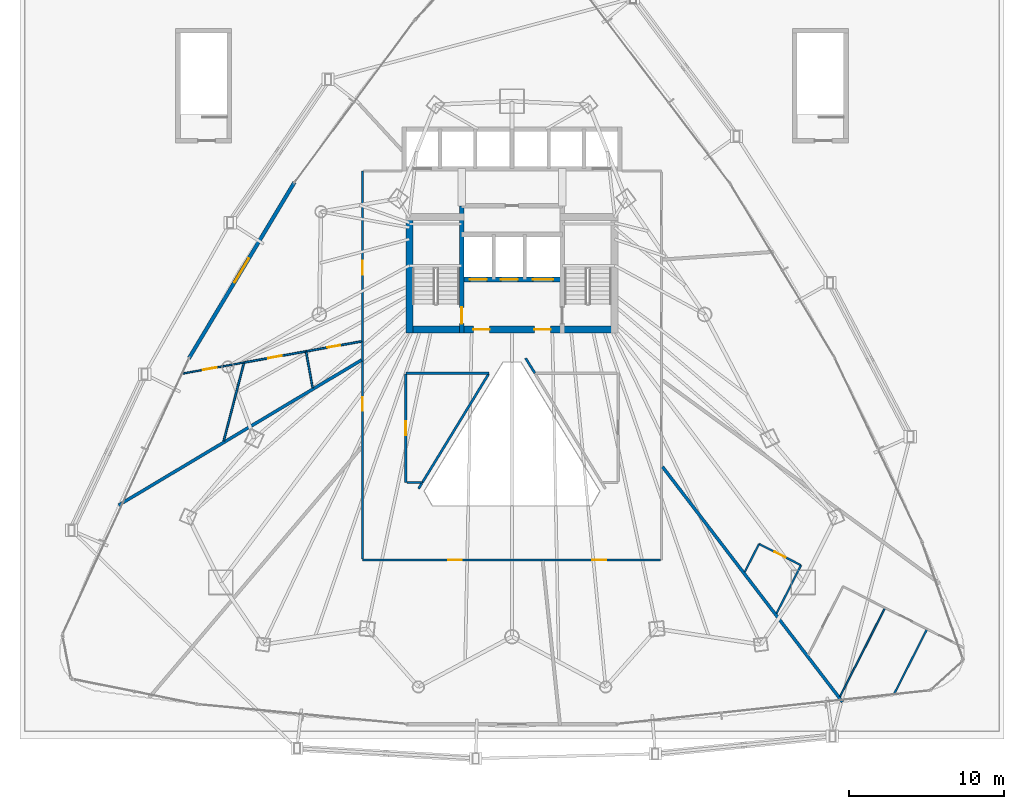
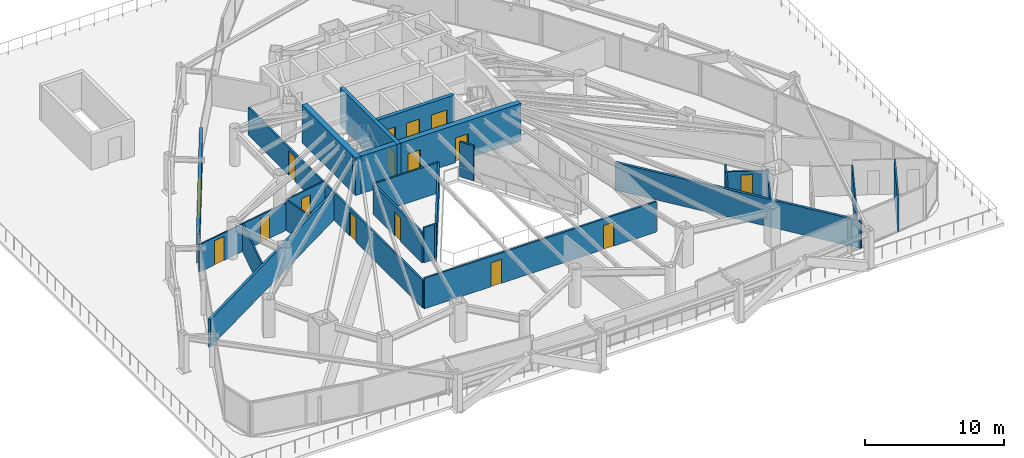
# One storey, part 29 of 36: 25 walls, 16 doors, 16 openings.
"""IFC4 building model written with IfcOpenShell, lengths in metres."""

from ifc_helpers import new_model, si_unit, direction, frame, frame_2d, origin, place, context, subcontext, project, spatial, rectangle, extrude, material, layer, layer_set, type_object, element, fill, save


model = new_model("IFC4")

# Units and contexts
model_context = context("Model", 3, precision=1e-05, world=origin(), true_north=direction((0.0, 1.0)))
body_context = subcontext(model_context, "Body", "Model", "MODEL_VIEW")
ifc_project = project(units=[si_unit("LENGTHUNIT", "METRE"), si_unit("AREAUNIT", "SQUARE_METRE"), si_unit("VOLUMEUNIT", "CUBIC_METRE"), si_unit("PLANEANGLEUNIT", "RADIAN"), si_unit("MASSUNIT", "GRAM", prefix="KILO")], contexts=[model_context])

# Site, building, storey
site_placement = place(None, origin())
site = spatial("IfcSite", under=ifc_project, at=site_placement, CompositionType="ELEMENT")
building_placement = place(site_placement, origin())
building = spatial("IfcBuilding", under=site, at=building_placement, Name="Orvanel Arch Residences", CompositionType="ELEMENT")
storey_placement = place(building_placement, frame((0.0, 0.0, 23.60009765625)))
storey = spatial("IfcBuildingStorey", under=building, at=storey_placement, Name="L05", CompositionType="ELEMENT", Elevation=23.60009765625)

# Wall, opening, door
ifc_material_1 = material(Name="Precast concrete N50 (50 MPa)", Category="concrete")
ifc_layer_1 = layer(ifc_material_1, 0.239990234375)
ifc_layer_set_1 = layer_set([ifc_layer_1], Name="Precast concrete N50 (50 MPa)")
wall_type_1 = type_object("IfcWallType", Name="EW-BAL-240", PredefinedType="SOLIDWALL", material=ifc_layer_set_1)
wall_1_placement = place(storey_placement, frame((18.95703125, 36.159912109375, 0.0), z_axis=(0.0, 0.0, 1.0), x_axis=(-0.514409031138, -0.857544954323, 0.0)))
wall_1 = element("IfcWall", 1, at=wall_1_placement, inside=storey, type_object=wall_type_1, Name="L05 Podium Terrace Access Wall Face 1", PredefinedType="SOLIDWALL", context=body_context, shape_type="SweptSolid", body=[
    extrude(rectangle(XDim=13.248046875, YDim=0.239990234375, at=frame_2d((6.6240234375, 0.0))), origin(), (0.0, 0.0, 1.0), 2.6240234375),
])
opening_1_placement = place(wall_1_placement, frame((5.72412109375, 0.0, 0.0)))
opening_1 = element("IfcOpeningElement", 2, at=opening_1_placement, cuts=wall_1, Name="Opening DB-180", PredefinedType="OPENING", context=body_context, shape_type="SweptSolid", body=[
    extrude(rectangle(XDim=1.800048828125, YDim=2.199951171875, at=frame_2d((0.89990234375, 1.10009765625))), frame((0.0, 0.1298828125, 0.0), z_axis=(0.0, -1.0, 0.0), x_axis=(1.0, 0.0, 0.0)), (0.0, 0.0, 1.0), 0.260009765625),
])
ifc_material_2 = material(Name="Bronze-anodised aluminium AA6063-T6", Category="aluminium")
door_type_1 = type_object("IfcDoorType", Name="DR-BAL-1800", OperationType="NOTDEFINED", PredefinedType="DOOR", material=ifc_material_2)
door_1_placement = place(opening_1_placement, origin())
door_1 = element("IfcDoor", 3, at=door_1_placement, inside=storey, type_object=door_type_1, Name="DR-L05-TERR-F1 L05 Planted Podium Terrace French Door Face 1", OperationType="DOUBLE_DOOR_SINGLE_SWING", OverallHeight=2.199951171875, OverallWidth=1.800048828125, PredefinedType="DOOR", context=body_context, shape_type="SweptSolid", body=[
    extrude(rectangle(XDim=1.800048828125, YDim=2.199951171875, at=frame_2d((0.89990234375, 1.10009765625))), frame((0.0, 0.02490234375, 0.0), z_axis=(0.0, -1.0, 0.0), x_axis=(1.0, 0.0, 0.0)), (0.0, 0.0, 1.0), 0.050048828125),
])
fill(opening_1, door_1)

ifc_material_3 = material(Name="Concrete S80 (80 MPa)", Category="concrete")
ifc_layer_2 = layer(ifc_material_3, 0.300048828125)
ifc_layer_set_2 = layer_set([ifc_layer_2], Name="Concrete S80 (80 MPa)")
wall_type_2 = type_object("IfcWallType", Name="SW-CORE-300", PredefinedType="SHEAR", material=ifc_layer_set_2)
wall_2_placement = place(storey_placement, frame((29.75, 26.449951171875, 0.0), z_axis=(0.0, 0.0, 1.0), x_axis=(0.0, 1.0, 0.0)))
wall_2 = element("IfcWall", 4, at=wall_2_placement, inside=storey, type_object=wall_type_2, Name="L05 West Inner Core Spine Shear Wall", PredefinedType="SHEAR", context=body_context, shape_type="SweptSolid", body=[
    extrude(rectangle(XDim=8.199951171875, YDim=0.300048828125, at=frame_2d((4.10009765625, 0.0))), origin(), (0.0, 0.0, 1.0), 3.2998046875),
])
opening_2_placement = place(wall_2_placement, frame((0.60009765625, 0.0, 0.0)))
opening_2 = element("IfcOpeningElement", 5, at=opening_2_placement, cuts=wall_2, Name="Opening DF-120", PredefinedType="OPENING", context=body_context, shape_type="SweptSolid", body=[
    extrude(rectangle(XDim=1.050048828125, YDim=2.14990234375, at=frame_2d((0.52490234375, 1.074951171875))), frame((0.0, 0.159912109375, 0.0), z_axis=(0.0, -1.0, 0.0), x_axis=(1.0, 0.0, 0.0)), (0.0, 0.0, 1.0), 0.320068359375),
])
ifc_material_4 = material(Name="Galvanised steel fire-resisting door assembly", Category="steel")
door_type_2 = type_object("IfcDoorType", Name="DR-FD120-1050", OperationType="NOTDEFINED", PredefinedType="DOOR", material=ifc_material_4)
door_2_placement = place(opening_2_placement, origin())
door_2 = element("IfcDoor", 6, at=door_2_placement, inside=storey, type_object=door_type_2, Name="DR-L05-ST1 L05 Stair 1 Fire Door", OperationType="SINGLE_SWING_LEFT", OverallHeight=2.14990234375, OverallWidth=1.050048828125, PredefinedType="DOOR", context=body_context, shape_type="SweptSolid", body=[
    extrude(rectangle(XDim=1.050048828125, YDim=2.14990234375, at=frame_2d((0.52490234375, 1.074951171875))), frame((0.0, 0.02490234375, 0.0), z_axis=(0.0, -1.0, 0.0), x_axis=(1.0, 0.0, 0.0)), (0.0, 0.0, 1.0), 0.050048828125),
])
fill(opening_2, door_2)

# Wall, openings, doors
wall_3_placement = place(storey_placement, frame((36.25, 29.89990234375, 0.0), z_axis=(0.0, 0.0, 1.0), x_axis=(-1.0, 0.0, 0.0)))
wall_3 = element("IfcWall", 7, at=wall_3_placement, inside=storey, type_object=wall_type_2, Name="L05 Emergency Lift Front Core Shear Wall", PredefinedType="SHEAR", context=body_context, shape_type="SweptSolid", body=[
    extrude(rectangle(XDim=6.5, YDim=0.300048828125, at=frame_2d((3.25, 0.0))), origin(), (0.0, 0.0, 1.0), 3.2998046875),
])
opening_3_placement = place(wall_3_placement, frame((4.875, 0.0, 0.0)))
opening_3 = element("IfcOpeningElement", 8, at=opening_3_placement, cuts=wall_3, Name="Opening LD-110", PredefinedType="OPENING", context=body_context, shape_type="SweptSolid", body=[
    extrude(rectangle(XDim=1.10009765625, YDim=2.199951171875, at=frame_2d((0.550048828125, 1.10009765625))), frame((0.0, 0.159912109375, 0.0), z_axis=(0.0, -1.0, 0.0), x_axis=(1.0, 0.0, 0.0)), (0.0, 0.0, 1.0), 0.320068359375),
])
opening_4_placement = place(wall_3_placement, frame((2.875, 0.0, 0.0)))
opening_4 = element("IfcOpeningElement", 9, at=opening_4_placement, cuts=wall_3, Name="Opening LD-110", PredefinedType="OPENING", context=body_context, shape_type="SweptSolid", body=[
    extrude(rectangle(XDim=1.10009765625, YDim=2.199951171875, at=frame_2d((0.550048828125, 1.10009765625))), frame((0.0, 0.159912109375, 0.0), z_axis=(0.0, -1.0, 0.0), x_axis=(1.0, 0.0, 0.0)), (0.0, 0.0, 1.0), 0.320068359375),
])
opening_5_placement = place(wall_3_placement, frame((0.60009765625, 0.0, 0.0)))
opening_5 = element("IfcOpeningElement", 10, at=opening_5_placement, cuts=wall_3, Name="Opening LD-130", PredefinedType="OPENING", context=body_context, shape_type="SweptSolid", body=[
    extrude(rectangle(XDim=1.300048828125, YDim=2.199951171875, at=frame_2d((0.64990234375, 1.10009765625))), frame((0.0, 0.159912109375, 0.0), z_axis=(0.0, -1.0, 0.0), x_axis=(1.0, 0.0, 0.0)), (0.0, 0.0, 1.0), 0.320068359375),
])
door_type_3 = type_object("IfcDoorType", Name="DR-LFT-1100", OperationType="NOTDEFINED", PredefinedType="DOOR", material=ifc_material_4)
door_3_placement = place(opening_3_placement, origin())
door_3 = element("IfcDoor", 11, at=door_3_placement, inside=storey, type_object=door_type_3, Name="LD-F1-L05 L05 Lift F1 Sliding Landing Door", OperationType="DOUBLE_DOOR_SLIDING", OverallHeight=2.199951171875, OverallWidth=1.10009765625, PredefinedType="DOOR", context=body_context, shape_type="SweptSolid", body=[
    extrude(rectangle(XDim=1.10009765625, YDim=2.199951171875, at=frame_2d((0.550048828125, 1.10009765625))), frame((0.0, 0.02490234375, 0.0), z_axis=(0.0, -1.0, 0.0), x_axis=(1.0, 0.0, 0.0)), (0.0, 0.0, 1.0), 0.050048828125),
])
fill(opening_3, door_3)
door_4_placement = place(opening_4_placement, origin())
door_4 = element("IfcDoor", 12, at=door_4_placement, inside=storey, type_object=door_type_3, Name="LD-F2-L05 L05 Lift F2 Sliding Landing Door", OperationType="DOUBLE_DOOR_SLIDING", OverallHeight=2.199951171875, OverallWidth=1.10009765625, PredefinedType="DOOR", context=body_context, shape_type="SweptSolid", body=[
    extrude(rectangle(XDim=1.10009765625, YDim=2.199951171875, at=frame_2d((0.550048828125, 1.10009765625))), frame((0.0, 0.02490234375, 0.0), z_axis=(0.0, -1.0, 0.0), x_axis=(1.0, 0.0, 0.0)), (0.0, 0.0, 1.0), 0.050048828125),
])
fill(opening_4, door_4)
door_type_4 = type_object("IfcDoorType", Name="DR-LFT-1300", OperationType="NOTDEFINED", PredefinedType="DOOR", material=ifc_material_4)
door_5_placement = place(opening_5_placement, origin())
door_5 = element("IfcDoor", 13, at=door_5_placement, inside=storey, type_object=door_type_4, Name="LD-G1-L05 L05 Lift G1 Sliding Landing Door", OperationType="DOUBLE_DOOR_SLIDING", OverallHeight=2.199951171875, OverallWidth=1.300048828125, PredefinedType="DOOR", context=body_context, shape_type="SweptSolid", body=[
    extrude(rectangle(XDim=1.300048828125, YDim=2.199951171875, at=frame_2d((0.64990234375, 1.10009765625))), frame((0.0, 0.02490234375, 0.0), z_axis=(0.0, -1.0, 0.0), x_axis=(1.0, 0.0, 0.0)), (0.0, 0.0, 1.0), 0.050048828125),
])
fill(opening_5, door_5)

ifc_layer_3 = layer(ifc_material_3, 0.449951171875)
ifc_layer_set_3 = layer_set([ifc_layer_3], Name="Concrete S80 (80 MPa)")
wall_type_3 = type_object("IfcWallType", Name="SW-CORE-450", PredefinedType="SHEAR", material=ifc_layer_set_3)
wall_4_placement = place(storey_placement, frame((26.14990234375, 26.675048828125, 0.0), z_axis=(0.0, 0.0, 1.0), x_axis=(1.0, 0.0, 0.0)))
wall_4 = element("IfcWall", 14, at=wall_4_placement, inside=storey, type_object=wall_type_3, Name="L05 South Core Shear Wall", PredefinedType="SHEAR", context=body_context, shape_type="SweptSolid", body=[
    extrude(rectangle(XDim=13.7001953125, YDim=0.449951171875, at=frame_2d((6.85009765625, 0.0))), origin(), (0.0, 0.0, 1.0), 3.2998046875),
])
opening_6_placement = place(wall_4_placement, frame((4.35009765625, 0.0, 0.0)))
opening_6 = element("IfcOpeningElement", 15, at=opening_6_placement, cuts=wall_4, Name="Opening DF-060", PredefinedType="OPENING", context=body_context, shape_type="SweptSolid", body=[
    extrude(rectangle(XDim=1.050048828125, YDim=2.14990234375, at=frame_2d((0.52490234375, 1.074951171875))), frame((0.0, 0.23486328125, 0.0), z_axis=(0.0, -1.0, 0.0), x_axis=(1.0, 0.0, 0.0)), (0.0, 0.0, 1.0), 0.469970703125),
])
opening_7_placement = place(wall_4_placement, frame((8.300048828125, 0.0, 0.0)))
opening_7 = element("IfcOpeningElement", 16, at=opening_7_placement, cuts=wall_4, Name="Opening DF-060", PredefinedType="OPENING", context=body_context, shape_type="SweptSolid", body=[
    extrude(rectangle(XDim=1.050048828125, YDim=2.14990234375, at=frame_2d((0.52490234375, 1.074951171875))), frame((0.0, 0.23486328125, 0.0), z_axis=(0.0, -1.0, 0.0), x_axis=(1.0, 0.0, 0.0)), (0.0, 0.0, 1.0), 0.469970703125),
])
door_type_5 = type_object("IfcDoorType", Name="DR-FD60-1050", OperationType="NOTDEFINED", PredefinedType="DOOR", material=ifc_material_4)
door_6_placement = place(opening_6_placement, origin())
door_6 = element("IfcDoor", 17, at=door_6_placement, inside=storey, type_object=door_type_5, Name="DR-L05-FFL-W L05 West Smoke Lobby Door", OperationType="SINGLE_SWING_LEFT", OverallHeight=2.14990234375, OverallWidth=1.050048828125, PredefinedType="DOOR", context=body_context, shape_type="SweptSolid", body=[
    extrude(rectangle(XDim=1.050048828125, YDim=2.14990234375, at=frame_2d((0.52490234375, 1.074951171875))), frame((0.0, 0.02490234375, 0.0), z_axis=(0.0, -1.0, 0.0), x_axis=(1.0, 0.0, 0.0)), (0.0, 0.0, 1.0), 0.050048828125),
])
fill(opening_6, door_6)
door_7_placement = place(opening_7_placement, origin())
door_7 = element("IfcDoor", 18, at=door_7_placement, inside=storey, type_object=door_type_5, Name="DR-L05-FFL-E L05 East Smoke Lobby Door", OperationType="SINGLE_SWING_RIGHT", OverallHeight=2.14990234375, OverallWidth=1.050048828125, PredefinedType="DOOR", context=body_context, shape_type="SweptSolid", body=[
    extrude(rectangle(XDim=1.050048828125, YDim=2.14990234375, at=frame_2d((0.52490234375, 1.074951171875))), frame((0.0, 0.02490234375, 0.0), z_axis=(0.0, -1.0, 0.0), x_axis=(1.0, 0.0, 0.0)), (0.0, 0.0, 1.0), 0.050048828125),
])
fill(opening_7, door_7)

# Wall
wall_5_placement = place(storey_placement, frame((26.375, 26.449951171875, 0.0), z_axis=(0.0, 0.0, 1.0), x_axis=(0.0, 1.0, 0.0)))
element("IfcWall", 19, at=wall_5_placement, inside=storey, type_object=wall_type_3, Name="L05 West Stair Shear Wall", PredefinedType="SHEAR", context=body_context, shape_type="SweptSolid", body=[
    extrude(rectangle(XDim=7.699951171875, YDim=0.449951171875, at=frame_2d((3.85009765625, 0.0))), origin(), (0.0, 0.0, 1.0), 3.2998046875),
])

# Wall, openings, doors
ifc_material_5 = material(Name="Fire-rated plasterboard lined steel stud partition", Category="steel")
ifc_layer_4 = layer(ifc_material_5, 0.14990234375)
ifc_layer_set_4 = layer_set([ifc_layer_4], Name="Fire-rated plasterboard lined steel stud partition")
wall_type_4 = type_object("IfcWallType", Name="W-COR-150", PredefinedType="PARTITIONING", material=ifc_layer_set_4)
wall_6_placement = place(storey_placement, frame((42.590087890625, 11.800048828125, 0.0), z_axis=(0.0, 0.0, 1.0), x_axis=(-1.0, 0.0, 0.0)))
wall_6 = element("IfcWall", 20, at=wall_6_placement, inside=storey, type_object=wall_type_4, Name="L05 Corridor Fire-Rated Partition", PredefinedType="PARTITIONING", context=body_context, shape_type="SweptSolid", body=[
    extrude(rectangle(XDim=19.239990234375, YDim=0.14990234375, at=frame_2d((9.6201171875, 0.0))), origin(), (0.0, 0.0, 1.0), 2.6689453125),
])
opening_8_placement = place(wall_6_placement, frame((12.837890625, 0.0, 0.0)))
opening_8 = element("IfcOpeningElement", 21, at=opening_8_placement, cuts=wall_6, Name="Opening DI-088", PredefinedType="OPENING", context=body_context, shape_type="SweptSolid", body=[
    extrude(rectangle(XDim=0.8798828125, YDim=2.10009765625, at=frame_2d((0.43994140625, 1.050048828125))), frame((0.0, 0.0849609375, 0.0), z_axis=(0.0, -1.0, 0.0), x_axis=(1.0, 0.0, 0.0)), (0.0, 0.0, 1.0), 0.169921875),
])
opening_9_placement = place(wall_6_placement, frame((3.51904296875, 0.0, 0.0)))
opening_9 = element("IfcOpeningElement", 22, at=opening_9_placement, cuts=wall_6, Name="Opening DI-088", PredefinedType="OPENING", context=body_context, shape_type="SweptSolid", body=[
    extrude(rectangle(XDim=0.8798828125, YDim=2.10009765625, at=frame_2d((0.43994140625, 1.050048828125))), frame((0.0, 0.0849609375, 0.0), z_axis=(0.0, -1.0, 0.0), x_axis=(1.0, 0.0, 0.0)), (0.0, 0.0, 1.0), 0.169921875),
])
ifc_material_6 = material(Name="Solid-core European oak veneer fire door leaf", Category="wood")
door_type_6 = type_object("IfcDoorType", Name="DR-INT-880", OperationType="NOTDEFINED", PredefinedType="DOOR", material=ifc_material_6)
door_8_placement = place(opening_8_placement, origin())
door_8 = element("IfcDoor", 23, at=door_8_placement, inside=storey, type_object=door_type_6, Name="DR-L05-SHRD-FB1 L05 Co-Working Study Office A Door", OperationType="SINGLE_SWING_LEFT", OverallHeight=2.10009765625, OverallWidth=0.8798828125, PredefinedType="DOOR", context=body_context, shape_type="SweptSolid", body=[
    extrude(rectangle(XDim=0.8798828125, YDim=2.10009765625, at=frame_2d((0.43994140625, 1.050048828125))), frame((0.0, 0.02490234375, 0.0), z_axis=(0.0, -1.0, 0.0), x_axis=(1.0, 0.0, 0.0)), (0.0, 0.0, 1.0), 0.050048828125),
])
fill(opening_8, door_8)
door_9_placement = place(opening_9_placement, origin())
door_9 = element("IfcDoor", 24, at=door_9_placement, inside=storey, type_object=door_type_6, Name="DR-L05-SHRD-FB4 L05 Co-Working Study Office D Door", OperationType="SINGLE_SWING_LEFT", OverallHeight=2.10009765625, OverallWidth=0.8798828125, PredefinedType="DOOR", context=body_context, shape_type="SweptSolid", body=[
    extrude(rectangle(XDim=0.8798828125, YDim=2.10009765625, at=frame_2d((0.43994140625, 1.050048828125))), frame((0.0, 0.02490234375, 0.0), z_axis=(0.0, -1.0, 0.0), x_axis=(1.0, 0.0, 0.0)), (0.0, 0.0, 1.0), 0.050048828125),
])
fill(opening_9, door_9)

wall_7_placement = place(storey_placement, frame((23.35009765625, 11.860107421875, 0.0), z_axis=(0.0, 0.0, 1.0), x_axis=(0.0, 1.0, 0.0)))
wall_7 = element("IfcWall", 25, at=wall_7_placement, inside=storey, type_object=wall_type_4, Name="L05 Corridor Fire-Rated Partition", PredefinedType="PARTITIONING", context=body_context, shape_type="SweptSolid", body=[
    extrude(rectangle(XDim=25.039794921875, YDim=0.14990234375, at=frame_2d((12.52001953125, 0.0))), origin(), (0.0, 0.0, 1.0), 2.412841796875),
])
opening_10_placement = place(wall_7_placement, frame((9.572998046875, 0.0, 0.0)))
opening_10 = element("IfcOpeningElement", 26, at=opening_10_placement, cuts=wall_7, Name="Opening DI-088", PredefinedType="OPENING", context=body_context, shape_type="SweptSolid", body=[
    extrude(rectangle(XDim=0.8798828125, YDim=2.10009765625, at=frame_2d((0.43994140625, 1.050048828125))), frame((0.0, 0.0849609375, 0.0), z_axis=(0.0, -1.0, 0.0), x_axis=(1.0, 0.0, 0.0)), (0.0, 0.0, 1.0), 0.169921875),
])
opening_11_placement = place(wall_7_placement, frame((18.3291015625, 0.0, 0.0)))
opening_11 = element("IfcOpeningElement", 27, at=opening_11_placement, cuts=wall_7, Name="Opening DA-092", PredefinedType="OPENING", context=body_context, shape_type="SweptSolid", body=[
    extrude(rectangle(XDim=0.919921875, YDim=2.14990234375, at=frame_2d((0.4599609375, 1.074951171875))), frame((0.0, 0.0849609375, 0.0), z_axis=(0.0, -1.0, 0.0), x_axis=(1.0, 0.0, 0.0)), (0.0, 0.0, 1.0), 0.169921875),
])
door_type_7 = type_object("IfcDoorType", Name="DR-APT-920", OperationType="NOTDEFINED", PredefinedType="DOOR", material=ifc_material_6)
door_10_placement = place(opening_11_placement, origin())
door_10 = element("IfcDoor", 28, at=door_10_placement, inside=storey, type_object=door_type_7, Name="DR-L05-F-ENT L05 Studio F Entrance Door", OperationType="SINGLE_SWING_LEFT", OverallHeight=2.14990234375, OverallWidth=0.919921875, PredefinedType="DOOR", context=body_context, shape_type="SweptSolid", body=[
    extrude(rectangle(XDim=0.919921875, YDim=2.14990234375, at=frame_2d((0.4599609375, 1.074951171875))), frame((0.0, 0.02490234375, 0.0), z_axis=(0.0, -1.0, 0.0), x_axis=(1.0, 0.0, 0.0)), (0.0, 0.0, 1.0), 0.050048828125),
])
fill(opening_11, door_10)
door_11_placement = place(opening_10_placement, origin())
door_11 = element("IfcDoor", 29, at=door_11_placement, inside=storey, type_object=door_type_6, Name="DR-L05-SHRD-FB3 L05 Co-Working Study Office C Door", OperationType="SINGLE_SWING_LEFT", OverallHeight=2.10009765625, OverallWidth=0.8798828125, PredefinedType="DOOR", context=body_context, shape_type="SweptSolid", body=[
    extrude(rectangle(XDim=0.8798828125, YDim=2.10009765625, at=frame_2d((0.43994140625, 1.050048828125))), frame((0.0, 0.02490234375, 0.0), z_axis=(0.0, -1.0, 0.0), x_axis=(1.0, 0.0, 0.0)), (0.0, 0.0, 1.0), 0.050048828125),
])
fill(opening_10, door_11)

# Wall
wall_8_placement = place(storey_placement, frame((31.52294921875, 23.85009765625, 0.0), z_axis=(0.0, 0.0, 1.0), x_axis=(-1.0, 0.0, 0.0)))
element("IfcWall", 30, at=wall_8_placement, inside=storey, type_object=wall_type_4, Name="L05 Corridor Fire-Rated Partition", PredefinedType="PARTITIONING", context=body_context, shape_type="SweptSolid", body=[
    extrude(rectangle(XDim=5.373046875, YDim=0.14990234375, at=frame_2d((2.6865234375, 0.0))), origin(), (0.0, 0.0, 1.0), 2.6689453125),
])

# Wall, opening, door
wall_9_placement = place(storey_placement, frame((26.14990234375, 23.7900390625, 0.0), z_axis=(0.0, 0.0, 1.0), x_axis=(0.0, -1.0, 0.0)))
wall_9 = element("IfcWall", 31, at=wall_9_placement, inside=storey, type_object=wall_type_4, Name="L05 Corridor Fire-Rated Partition", PredefinedType="PARTITIONING", context=body_context, shape_type="SweptSolid", body=[
    extrude(rectangle(XDim=6.989990234375, YDim=0.14990234375, at=frame_2d((3.4951171875, 0.0))), origin(), (0.0, 0.0, 1.0), 2.6689453125),
])
opening_12_placement = place(wall_9_placement, frame((3.054931640625, 0.0, 0.0)))
opening_12 = element("IfcOpeningElement", 32, at=opening_12_placement, cuts=wall_9, Name="Opening DI-088", PredefinedType="OPENING", context=body_context, shape_type="SweptSolid", body=[
    extrude(rectangle(XDim=0.8798828125, YDim=2.10009765625, at=frame_2d((0.43994140625, 1.050048828125))), frame((0.0, 0.0849609375, 0.0), z_axis=(0.0, -1.0, 0.0), x_axis=(1.0, 0.0, 0.0)), (0.0, 0.0, 1.0), 0.169921875),
])
door_12_placement = place(opening_12_placement, origin())
door_12 = element("IfcDoor", 33, at=door_12_placement, inside=storey, type_object=door_type_6, Name="DR-L05-SHRD-FB9 L05 Co-Working Study Office I Door", OperationType="SINGLE_SWING_LEFT", OverallHeight=2.10009765625, OverallWidth=0.8798828125, PredefinedType="DOOR", context=body_context, shape_type="SweptSolid", body=[
    extrude(rectangle(XDim=0.8798828125, YDim=2.10009765625, at=frame_2d((0.43994140625, 1.050048828125))), frame((0.0, 0.02490234375, 0.0), z_axis=(0.0, -1.0, 0.0), x_axis=(1.0, 0.0, 0.0)), (0.0, 0.0, 1.0), 0.050048828125),
])
fill(opening_12, door_12)

# Walls
wall_10_placement = place(storey_placement, frame((26.2099609375, 16.800048828125, 0.0), z_axis=(0.0, 0.0, 1.0), x_axis=(1.0, 0.0, 0.0)))
element("IfcWall", 34, at=wall_10_placement, inside=storey, type_object=wall_type_4, Name="L05 Corridor Fire-Rated Partition", PredefinedType="PARTITIONING", context=body_context, shape_type="SweptSolid", body=[
    extrude(rectangle(XDim=1.0029296875, YDim=0.14990234375, at=frame_2d((0.50146484375, 0.0))), origin(), (0.0, 0.0, 1.0), 3.059814453125),
])
wall_11_placement = place(storey_placement, frame((27.177001953125, 16.739990234375, 0.0), z_axis=(0.0, 0.0, 1.0), x_axis=(-0.513515835534, -0.858080116688, 0.0)))
element("IfcWall", 35, at=wall_11_placement, inside=storey, type_object=wall_type_4, Name="L05 Corridor Fire-Rated Partition", PredefinedType="PARTITIONING", context=body_context, shape_type="SweptSolid", body=[
    extrude(rectangle(XDim=0.403076171875, YDim=0.14990234375, at=frame_2d((0.20166015625, 0.0))), origin(), (0.0, 0.0, 1.0), 3.059814453125),
])
wall_12_placement = place(storey_placement, frame((34.47705078125, 23.85107421875, 0.0), z_axis=(0.0, 0.0, 1.0), x_axis=(-0.52541513414, 0.8508460124, 0.0)))
element("IfcWall", 36, at=wall_12_placement, inside=storey, type_object=wall_type_4, Name="L05 Corridor Fire-Rated Partition", PredefinedType="PARTITIONING", context=body_context, shape_type="SweptSolid", body=[
    extrude(rectangle(XDim=1.136474609375, YDim=0.14990234375, at=frame_2d((0.568359375, 0.0))), origin(), (0.0, 0.0, 1.0), 3.059814453125),
])
wall_13_placement = place(storey_placement, frame((27.212890625, 16.791015625, 0.0), z_axis=(0.0, 0.0, 1.0), x_axis=(0.521095914239, 0.853498124288, 0.0)))
element("IfcWall", 37, at=wall_13_placement, inside=storey, type_object=wall_type_4, Name="L05 Atrium Overlook Glazed Partition", PredefinedType="PARTITIONING", context=body_context, shape_type="SweptSolid", body=[
    extrude(rectangle(XDim=8.200439453125, YDim=0.14990234375, at=frame_2d((4.10009765625, 0.0))), origin(), (0.0, 0.0, 1.0), 2.6689453125),
])
ifc_layer_5 = layer(ifc_material_5, 0.199951171875)
ifc_layer_set_5 = layer_set([ifc_layer_5], Name="Fire-rated plasterboard lined steel stud partition")
wall_type_5 = type_object("IfcWallType", Name="W-DEM-200", PredefinedType="PARTITIONING", material=ifc_layer_set_5)
wall_14_placement = place(storey_placement, frame((7.615966796875, 15.3330078125, 0.0), z_axis=(0.0, 0.0, 1.0), x_axis=(0.85844474206, 0.512906058483, 0.0)))
element("IfcWall", 38, at=wall_14_placement, inside=storey, type_object=wall_type_5, Name="L05 Inter-Tenancy Acoustic Demising Wall", PredefinedType="PARTITIONING", context=body_context, shape_type="SweptSolid", body=[
    extrude(rectangle(XDim=18.2587890625, YDim=0.199951171875, at=frame_2d((9.12939453125, 0.0))), origin(), (0.0, 0.0, 1.0), 2.412841796875),
])
wall_15_placement = place(storey_placement, frame((42.7099609375, 17.81298828125, 0.0), z_axis=(0.0, 0.0, 1.0), x_axis=(0.607788570878, -0.794098893784, 0.0)))
element("IfcWall", 39, at=wall_15_placement, inside=storey, type_object=wall_type_5, Name="L05 Inter-Tenancy Acoustic Demising Wall", PredefinedType="PARTITIONING", context=body_context, shape_type="SweptSolid", body=[
    extrude(rectangle(XDim=19.113525390625, YDim=0.199951171875, at=frame_2d((9.556640625, 0.0))), origin(), (0.0, 0.0, 1.0), 2.412841796875),
])
ifc_material_7 = material(Name="Acoustic plasterboard lined twin-stud partition", Category="gypsum")
ifc_layer_6 = layer(ifc_material_7, 0.10009765625)
ifc_layer_set_6 = layer_set([ifc_layer_6], Name="Acoustic plasterboard lined twin-stud partition")
wall_type_6 = type_object("IfcWallType", Name="W-INT-100", PredefinedType="PARTITIONING", material=ifc_layer_set_6)
wall_16_placement = place(storey_placement, frame((54.16796875, 2.98193359375, 0.0), z_axis=(0.0, 0.0, 1.0), x_axis=(0.452437935158, 0.891795893033, 0.0)))
element("IfcWall", 40, at=wall_16_placement, inside=storey, type_object=wall_type_6, Name="L05 Flat E Internal Partition", PredefinedType="PARTITIONING", context=body_context, shape_type="SweptSolid", body=[
    extrude(rectangle(XDim=6.4208984375, YDim=0.10009765625, at=frame_2d((3.21044921875, 0.0))), origin(), (0.0, 0.0, 1.0), 2.618896484375),
])

# Wall, opening, door
wall_17_placement = place(storey_placement, frame((15.708984375, 24.5380859375, 0.0), z_axis=(0.0, 0.0, 1.0), x_axis=(-0.984207184065, -0.177020391014, 0.0)))
wall_17 = element("IfcWall", 41, at=wall_17_placement, inside=storey, type_object=wall_type_6, Name="L05 Studio F Internal Partition", PredefinedType="PARTITIONING", context=body_context, shape_type="SweptSolid", body=[
    extrude(rectangle(XDim=4.1015625, YDim=0.10009765625, at=frame_2d((2.05078125, 0.0))), origin(), (0.0, 0.0, 1.0), 2.412841796875),
])
opening_13_placement = place(wall_17_placement, frame((1.80908203125, 0.0, 0.0)))
opening_13 = element("IfcOpeningElement", 42, at=opening_13_placement, cuts=wall_17, Name="Opening DI-088", PredefinedType="OPENING", context=body_context, shape_type="SweptSolid", body=[
    extrude(rectangle(XDim=0.8798828125, YDim=2.10009765625, at=frame_2d((0.43994140625, 1.050048828125))), frame((0.0, 0.06005859375, 0.0), z_axis=(0.0, -1.0, 0.0), x_axis=(1.0, 0.0, 0.0)), (0.0, 0.0, 1.0), 0.1201171875),
])
door_13_placement = place(opening_13_placement, origin())
door_13 = element("IfcDoor", 43, at=door_13_placement, inside=storey, type_object=door_type_6, Name="DR-L05-F-OFC1 L05 Studio F Home Work Office 2 Door", OperationType="SINGLE_SWING_LEFT", OverallHeight=2.10009765625, OverallWidth=0.8798828125, PredefinedType="DOOR", context=body_context, shape_type="SweptSolid", body=[
    extrude(rectangle(XDim=0.8798828125, YDim=2.10009765625, at=frame_2d((0.43994140625, 1.050048828125))), frame((0.0, 0.02490234375, 0.0), z_axis=(0.0, -1.0, 0.0), x_axis=(1.0, 0.0, 0.0)), (0.0, 0.0, 1.0), 0.050048828125),
])
fill(opening_13, door_13)

# Wall
ifc_layer_7 = layer(ifc_material_7, 0.1201171875)
ifc_layer_set_7 = layer_set([ifc_layer_7], Name="Acoustic plasterboard lined twin-stud partition")
wall_type_7 = type_object("IfcWallType", Name="W-WET-120", PredefinedType="PARTITIONING", material=ifc_layer_set_7)
wall_18_placement = place(storey_placement, frame((50.069091796875, 8.337890625, 0.0), z_axis=(0.0, 0.0, 1.0), x_axis=(0.45217581214, 0.891928828391, 0.0)))
element("IfcWall", 44, at=wall_18_placement, inside=storey, type_object=wall_type_7, Name="L05 Flat E Bathroom Partition", PredefinedType="PARTITIONING", context=body_context, shape_type="SweptSolid", body=[
    extrude(rectangle(XDim=3.498046875, YDim=0.1201171875, at=frame_2d((1.7490234375, 0.0))), origin(), (0.0, 0.0, 1.0), 2.412841796875),
])

# Wall, opening, door
wall_19_placement = place(storey_placement, frame((51.65087890625, 11.4580078125, 0.0), z_axis=(0.0, 0.0, 1.0), x_axis=(-0.891842269509, 0.452346511336, 0.0)))
wall_19 = element("IfcWall", 45, at=wall_19_placement, inside=storey, type_object=wall_type_7, Name="L05 Flat E Bathroom Partition", PredefinedType="PARTITIONING", context=body_context, shape_type="SweptSolid", body=[
    extrude(rectangle(XDim=3.039794921875, YDim=0.1201171875, at=frame_2d((1.52001953125, 0.0))), origin(), (0.0, 0.0, 1.0), 2.412841796875),
])
opening_14_placement = place(wall_19_placement, frame((1.110107421875, 0.0, 0.0)))
opening_14 = element("IfcOpeningElement", 46, at=opening_14_placement, cuts=wall_19, Name="Opening DW-082", PredefinedType="OPENING", context=body_context, shape_type="SweptSolid", body=[
    extrude(rectangle(XDim=0.820068359375, YDim=2.10009765625, at=frame_2d((0.41015625, 1.050048828125))), frame((0.0, 0.070068359375, 0.0), z_axis=(0.0, -1.0, 0.0), x_axis=(1.0, 0.0, 0.0)), (0.0, 0.0, 1.0), 0.14013671875),
])
door_type_8 = type_object("IfcDoorType", Name="DR-WET-820", OperationType="NOTDEFINED", PredefinedType="DOOR", material=ifc_material_6)
door_14_placement = place(opening_14_placement, origin())
door_14 = element("IfcDoor", 47, at=door_14_placement, inside=storey, type_object=door_type_8, Name="DR-L05-E-BATH L05 Flat E Bathroom Door", OperationType="SINGLE_SWING_RIGHT", OverallHeight=2.10009765625, OverallWidth=0.820068359375, PredefinedType="DOOR", context=body_context, shape_type="SweptSolid", body=[
    extrude(rectangle(XDim=0.820068359375, YDim=2.10009765625, at=frame_2d((0.41015625, 1.050048828125))), frame((0.0, 0.02490234375, 0.0), z_axis=(0.0, -1.0, 0.0), x_axis=(1.0, 0.0, 0.0)), (0.0, 0.0, 1.0), 0.050048828125),
])
fill(opening_14, door_14)

# Walls
wall_20_placement = place(storey_placement, frame((48.93994140625, 12.8330078125, 0.0), z_axis=(0.0, 0.0, 1.0), x_axis=(-0.452097038501, -0.891968759418, 0.0)))
element("IfcWall", 48, at=wall_20_placement, inside=storey, type_object=wall_type_7, Name="L05 Flat E Bathroom Partition", PredefinedType="PARTITIONING", context=body_context, shape_type="SweptSolid", body=[
    extrude(rectangle(XDim=2.036865234375, YDim=0.1201171875, at=frame_2d((1.0185546875, 0.0))), origin(), (0.0, 0.0, 1.0), 3.059814453125),
])
wall_21_placement = place(storey_placement, frame((57.623046875, 3.073974609375, 0.0), z_axis=(0.0, 0.0, 1.0), x_axis=(0.452460987707, 0.891784197328, 0.0)))
element("IfcWall", 49, at=wall_21_placement, inside=storey, type_object=wall_type_7, Name="L05 Flat E Internal Partition", PredefinedType="PARTITIONING", context=body_context, shape_type="SweptSolid", body=[
    extrude(rectangle(XDim=4.77587890625, YDim=0.1201171875, at=frame_2d((2.387939453125, 0.0))), origin(), (0.0, 0.0, 1.0), 3.059814453125),
])

# Wall, opening, door
wall_22_placement = place(storey_placement, frame((23.2900390625, 25.89990234375, 0.0), z_axis=(0.0, 0.0, 1.0), x_axis=(-0.984259533521, -0.176729088363, 0.0)))
wall_22 = element("IfcWall", 50, at=wall_22_placement, inside=storey, type_object=wall_type_7, Name="L05 Studio F Bathroom Partition", PredefinedType="PARTITIONING", context=body_context, shape_type="SweptSolid", body=[
    extrude(rectangle(XDim=3.637451171875, YDim=0.1201171875, at=frame_2d((1.81884765625, 0.0))), origin(), (0.0, 0.0, 1.0), 2.6689453125),
])
opening_15_placement = place(wall_22_placement, frame((1.408935546875, 0.0, 0.0)))
opening_15 = element("IfcOpeningElement", 51, at=opening_15_placement, cuts=wall_22, Name="Opening DW-082", PredefinedType="OPENING", context=body_context, shape_type="SweptSolid", body=[
    extrude(rectangle(XDim=0.820068359375, YDim=2.10009765625, at=frame_2d((0.41015625, 1.050048828125))), frame((0.0, 0.070068359375, 0.0), z_axis=(0.0, -1.0, 0.0), x_axis=(1.0, 0.0, 0.0)), (0.0, 0.0, 1.0), 0.14013671875),
])
door_15_placement = place(opening_15_placement, origin())
door_15 = element("IfcDoor", 52, at=door_15_placement, inside=storey, type_object=door_type_8, Name="DR-L05-F-BATH L05 Studio F Bathroom Door", OperationType="SINGLE_SWING_RIGHT", OverallHeight=2.10009765625, OverallWidth=0.820068359375, PredefinedType="DOOR", context=body_context, shape_type="SweptSolid", body=[
    extrude(rectangle(XDim=0.820068359375, YDim=2.10009765625, at=frame_2d((0.41015625, 1.050048828125))), frame((0.0, 0.02490234375, 0.0), z_axis=(0.0, -1.0, 0.0), x_axis=(1.0, 0.0, 0.0)), (0.0, 0.0, 1.0), 0.050048828125),
])
fill(opening_15, door_15)

wall_23_placement = place(storey_placement, frame((19.7099609375, 25.257080078125, 0.0), z_axis=(0.0, 0.0, 1.0), x_axis=(-0.984233964359, -0.176871431843, 0.0)))
wall_23 = element("IfcWall", 53, at=wall_23_placement, inside=storey, type_object=wall_type_7, Name="L05 Studio F Internal Partition", PredefinedType="PARTITIONING", context=body_context, shape_type="SweptSolid", body=[
    extrude(rectangle(XDim=4.065185546875, YDim=0.1201171875, at=frame_2d((2.03271484375, 0.0))), origin(), (0.0, 0.0, 1.0), 2.412841796875),
])
opening_16_placement = place(wall_23_placement, frame((1.593017578125, 0.0, 0.0)))
opening_16 = element("IfcOpeningElement", 54, at=opening_16_placement, cuts=wall_23, Name="Opening DI-088", PredefinedType="OPENING", context=body_context, shape_type="SweptSolid", body=[
    extrude(rectangle(XDim=0.8798828125, YDim=2.10009765625, at=frame_2d((0.43994140625, 1.050048828125))), frame((0.0, 0.070068359375, 0.0), z_axis=(0.0, -1.0, 0.0), x_axis=(1.0, 0.0, 0.0)), (0.0, 0.0, 1.0), 0.14013671875),
])
door_16_placement = place(opening_16_placement, origin())
door_16 = element("IfcDoor", 55, at=door_16_placement, inside=storey, type_object=door_type_6, Name="DR-L05-F-KIT L05 Studio F Kitchenette Door", OperationType="SINGLE_SWING_LEFT", OverallHeight=2.10009765625, OverallWidth=0.8798828125, PredefinedType="DOOR", context=body_context, shape_type="SweptSolid", body=[
    extrude(rectangle(XDim=0.8798828125, YDim=2.10009765625, at=frame_2d((0.43994140625, 1.050048828125))), frame((0.0, 0.02490234375, 0.0), z_axis=(0.0, -1.0, 0.0), x_axis=(1.0, 0.0, 0.0)), (0.0, 0.0, 1.0), 0.050048828125),
])
fill(opening_16, door_16)

# Walls
wall_24_placement = place(storey_placement, frame((20.132080078125, 22.909912109375, 0.0), z_axis=(0.0, 0.0, 1.0), x_axis=(-0.177002273268, 0.984210442567, 0.0)))
element("IfcWall", 56, at=wall_24_placement, inside=storey, type_object=wall_type_7, Name="L05 Studio F Bathroom Partition", PredefinedType="PARTITIONING", context=body_context, shape_type="SweptSolid", body=[
    extrude(rectangle(XDim=2.384765625, YDim=0.1201171875, at=frame_2d((1.1923828125, 0.0))), origin(), (0.0, 0.0, 1.0), 2.6689453125),
])
wall_25_placement = place(storey_placement, frame((14.39697265625, 19.48388671875, 0.0), z_axis=(0.0, 0.0, 1.0), x_axis=(0.251260704977, 0.967919448164, 0.0)))
element("IfcWall", 57, at=wall_25_placement, inside=storey, type_object=wall_type_7, Name="L05 Studio F Internal Partition", PredefinedType="PARTITIONING", context=body_context, shape_type="SweptSolid", body=[
    extrude(rectangle(XDim=5.2216796875, YDim=0.1201171875, at=frame_2d((2.61083984375, 0.0))), origin(), (0.0, 0.0, 1.0), 2.412841796875),
])

save(model, "model.ifc")
